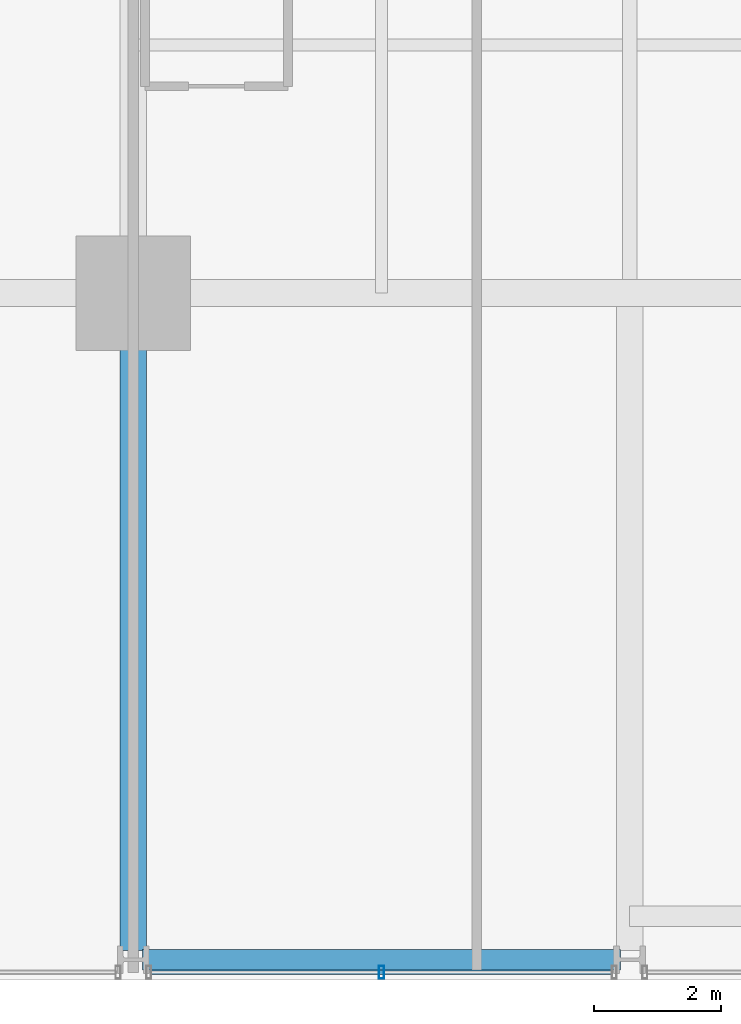
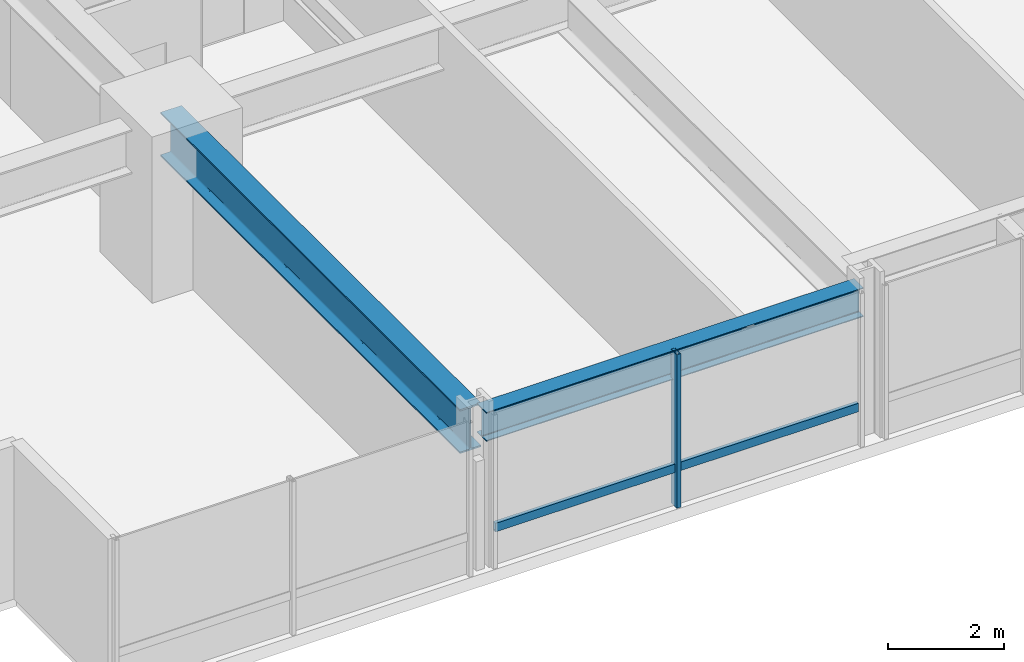
# One storey, part 3 of 38: 2 beams, 2 members, 1 element without a shape of its own.
"""IFC4 building model written with IfcOpenShell, lengths in metres."""

from ifc_helpers import new_model, si_unit, direction, frame, origin, origin_2d, place, context, subcontext, project, spatial, hollow_rectangle, i_section, extrude, material, layer, layer_set, material_profile, profile_set, type_object, element, aggregate, save


model = new_model("IFC4")

# Units and contexts
model_context = context("Model", 3, precision=1e-05, world=origin(), true_north=direction((0.0, 1.0)))
body_context = subcontext(model_context, "Body", "Model", "MODEL_VIEW")
ifc_project = project(units=[si_unit("LENGTHUNIT", "METRE"), si_unit("AREAUNIT", "SQUARE_METRE"), si_unit("VOLUMEUNIT", "CUBIC_METRE"), si_unit("PLANEANGLEUNIT", "RADIAN"), si_unit("MASSUNIT", "GRAM", prefix="KILO")], contexts=[model_context])

# Site, building, storey
site_placement = place(None, origin())
site = spatial("IfcSite", under=ifc_project, at=site_placement, CompositionType="ELEMENT")
building_placement = place(site_placement, origin())
building = spatial("IfcBuilding", under=site, at=building_placement, Name="Drelvath Grand Hotel", CompositionType="ELEMENT")
storey_placement = place(building_placement, frame((0.0, 0.0, 57.699951171875)))
storey = spatial("IfcBuildingStorey", under=building, at=storey_placement, Name="L13", CompositionType="ELEMENT", Elevation=57.699951171875)

# Curtain wall, members
ifc_material_1 = material(Name="Warm Bronze Anodised Aluminium Frame", Category="aluminium")
ifc_layer = layer(ifc_material_1, 0.199951171875)
ifc_layer_set = layer_set([ifc_layer], Name="Warm Bronze Anodised Aluminium Frame")
curtain_wall_type = type_object("IfcCurtainWallType", Name="Stick Curtain Wall CW-02 Warm Bronze Low-Rise", PredefinedType="NOTDEFINED", material=ifc_layer_set)
curtain_wall_placement = place(storey_placement, origin())
curtain_wall = element("IfcCurtainWall", 1, at=curtain_wall_placement, inside=storey, type_object=curtain_wall_type, Name="L13 CW-02 Curtain Wall CW02-L13-SW2", PredefinedType="NOTDEFINED")
ifc_material_profile_1 = material_profile(ifc_material_1, hollow_rectangle(XDim=0.074951171875, YDim=0.179931640625, WallThickness=0.0048828125, at=origin_2d()), Name="HSS180X75X5")
ifc_profile_set_1 = profile_set([ifc_material_profile_1], Name="Warm Bronze Anodised Aluminium Frame")
member_type_1 = type_object("IfcMemberType", Name="Curtain Wall Horizontal Transom CW-02 HSS180X75X5", PredefinedType="USERDEFINED", material=ifc_profile_set_1)
member_1_placement = place(storey_placement, frame((-8.680908203125, 0.1201171875, 0.81005859375), z_axis=(-1.0, 0.0, 0.0), x_axis=(0.0, -1.0, 0.0)))
member_1 = element("IfcMember", 2, at=member_1_placement, type_object=member_type_1, Name="CW02-L13-SW2 Sill Transom", ObjectType="TRANSOM", PredefinedType="USERDEFINED", context=body_context, shape_type="SweptSolid", body=[
    extrude(hollow_rectangle(XDim=0.074951171875, YDim=0.179931640625, WallThickness=0.0048828125, at=origin_2d()), origin(), (0.0, 0.0, 1.0), 7.23828125),
])
ifc_material_profile_2 = material_profile(ifc_material_1, hollow_rectangle(XDim=0.080078125, YDim=0.199951171875, WallThickness=0.0048828125, at=origin_2d()), Name="HSS200X80X5")
ifc_profile_set_2 = profile_set([ifc_material_profile_2], Name="Warm Bronze Anodised Aluminium Frame")
member_type_2 = type_object("IfcMemberType", Name="Curtain Wall Vertical Mullion CW-02 HSS200X80X5", PredefinedType="MULLION", material=ifc_profile_set_2)
member_2_placement = place(storey_placement, frame((-12.300048828125, 0.1201171875, 0.0), z_axis=(0.0, 0.0, 1.0), x_axis=(1.0, 0.0, 0.0)))
member_2 = element("IfcMember", 3, at=member_2_placement, type_object=member_type_2, Name="CW02-L13-SW2 Mullion 2", PredefinedType="MULLION", context=body_context, shape_type="SweptSolid", body=[
    extrude(hollow_rectangle(XDim=0.080078125, YDim=0.199951171875, WallThickness=0.0048828125, at=origin_2d()), origin(), (0.0, 0.0, 1.0), 3.239990234375),
])
aggregate(curtain_wall, [member_2, member_1])

# Beams
ifc_material_2 = material(Name="Steel ASTM A992 Gr 50", Category="steel")
ifc_material_profile_3 = material_profile(ifc_material_2, i_section(OverallWidth=0.323974609375, OverallDepth=0.611083984375, WebThickness=0.0126953125, FlangeThickness=0.01904296875, FilletRadius=0.02197265625, at=origin_2d()), Name="W24X104")
ifc_profile_set_3 = profile_set([ifc_material_profile_3], Name="Steel ASTM A992 Gr 50")
beam_type_1 = type_object("IfcBeamType", Name="Perimeter Spandrel Beam W24X104", PredefinedType="SPANDREL", material=ifc_profile_set_3)
beam_1_placement = place(storey_placement, frame((-16.06005859375, 0.320068359375, 2.9345703125), z_axis=(1.0, 0.0, 0.0), x_axis=(0.0, 1.0, 0.0)))
element("IfcBeam", 4, at=beam_1_placement, inside=storey, type_object=beam_type_1, Name="L13 Spandrel South W", PredefinedType="SPANDREL", context=body_context, shape_type="SweptSolid", body=[
    extrude(i_section(OverallWidth=0.323974609375, OverallDepth=0.611083984375, WebThickness=0.0126953125, FlangeThickness=0.01904296875, FilletRadius=0.02197265625, at=origin_2d()), origin(), (0.0, 0.0, 1.0), 7.52001953125),
])
ifc_material_profile_4 = material_profile(ifc_material_2, i_section(OverallWidth=0.418212890625, OverallDepth=0.926513671875, WebThickness=0.019287109375, FlangeThickness=0.031982421875, FilletRadius=0.028076171875, at=origin_2d()), Name="W36X231")
ifc_profile_set_4 = profile_set([ifc_material_profile_4], Name="Steel ASTM A992 Gr 50")
beam_type_2 = type_object("IfcBeamType", Name="Primary Floor Girder W36X231", PredefinedType="BEAM", material=ifc_profile_set_4)
beam_2_placement = place(storey_placement, frame((-16.199951171875, 0.4599609375, 2.77685546875), z_axis=(0.0, 1.0, 0.0), x_axis=(-1.0, 0.0, 0.0)))
element("IfcBeam", 5, at=beam_2_placement, inside=storey, type_object=beam_type_2, Name="L13 South Grid Girder 3", PredefinedType="BEAM", context=body_context, shape_type="SweptSolid", body=[
    extrude(i_section(OverallWidth=0.418212890625, OverallDepth=0.926513671875, WebThickness=0.019287109375, FlangeThickness=0.031982421875, FilletRadius=0.028076171875, at=origin_2d()), origin(), (0.0, 0.0, 1.0), 10.340087890625),
])

save(model, "model.ifc")
